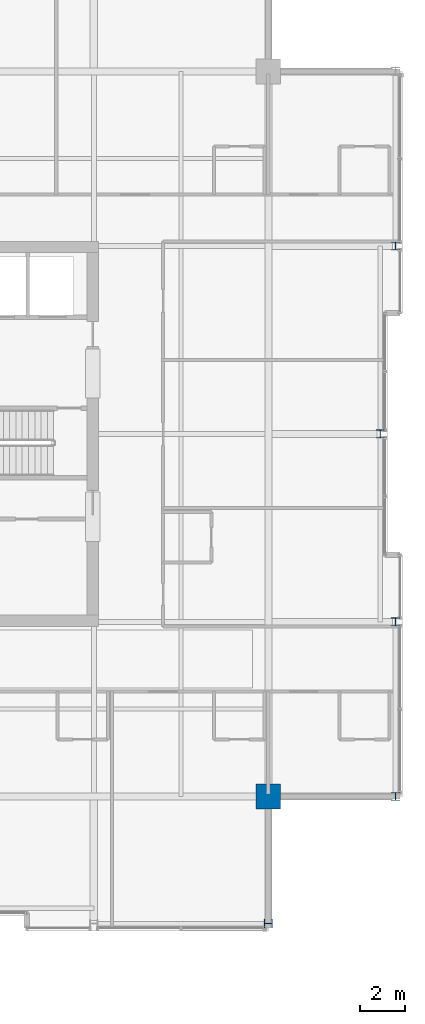
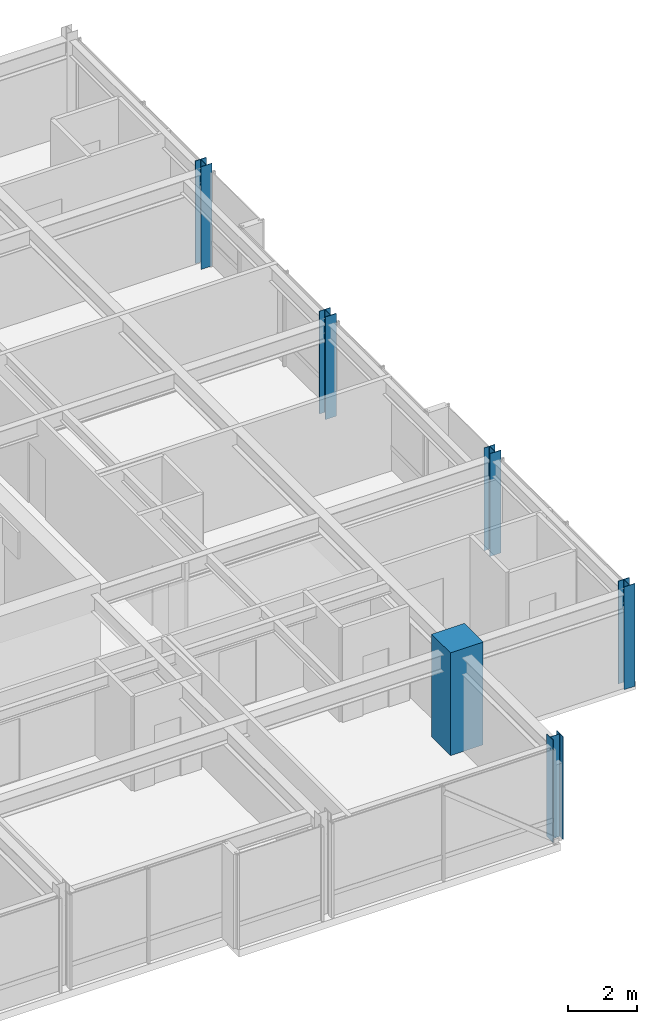
# One storey, part 2 of 34: 6 columns.
"""IFC4 building model written with IfcOpenShell, lengths in metres."""

from ifc_helpers import new_model, si_unit, direction, frame, origin, origin_2d, place, context, subcontext, project, spatial, rectangle, i_section, extrude, material, material_profile, profile_set, type_object, element, save


model = new_model("IFC4")

# Units and contexts
model_context = context("Model", 3, precision=1e-05, world=origin(), true_north=direction((0.0, 1.0)))
body_context = subcontext(model_context, "Body", "Model", "MODEL_VIEW")
ifc_project = project(units=[si_unit("LENGTHUNIT", "METRE"), si_unit("AREAUNIT", "SQUARE_METRE"), si_unit("VOLUMEUNIT", "CUBIC_METRE"), si_unit("PLANEANGLEUNIT", "RADIAN"), si_unit("MASSUNIT", "GRAM", prefix="KILO")], contexts=[model_context])

# Site, building, storey
site_placement = place(None, origin())
site = spatial("IfcSite", under=ifc_project, at=site_placement, CompositionType="ELEMENT")
building_placement = place(site_placement, origin())
building = spatial("IfcBuilding", under=site, at=building_placement, Name="Drelvath Grand Hotel", CompositionType="ELEMENT")
storey_placement = place(building_placement, frame((0.0, 0.0, 290.550048828125)))
storey = spatial("IfcBuildingStorey", under=building, at=storey_placement, Name="L76", CompositionType="ELEMENT", Elevation=290.550048828125)

# Columns
ifc_material_1 = material(Name="Concrete f'c 55 MPa", Category="concrete")
ifc_material_profile_1 = material_profile(ifc_material_1, rectangle(XDim=1.10009765625, YDim=1.10009765625, at=origin_2d()), Name="MC1100X1100")
ifc_profile_set_1 = profile_set([ifc_material_profile_1], Name="Concrete f'c 55 MPa")
column_type_1 = type_object("IfcColumnType", Name="Composite Mega Column MC1100X1100", PredefinedType="COLUMN", material=ifc_profile_set_1)
column_placement = place(storey_placement, frame((16.199951171875, 10.800048828125, 0.0), z_axis=(0.0, 0.0, 1.0), x_axis=(1.0, 0.0, 0.0)))
element("IfcColumn", 1, at=column_placement, inside=storey, type_object=column_type_1, Name="L76 Composite Mega Column MC-SE", PredefinedType="COLUMN", context=body_context, shape_type="SweptSolid", body=[
    extrude(rectangle(XDim=1.10009765625, YDim=1.10009765625, at=origin_2d()), origin(), (0.0, 0.0, 1.0), 3.64990234375),
])
ifc_material_2 = material(Name="Steel ASTM A913 Gr 65", Category="steel")
ifc_material_profile_2 = material_profile(ifc_material_2, i_section(OverallWidth=0.368896484375, OverallDepth=0.356201171875, WebThickness=0.01123046875, FlangeThickness=0.01806640625, FilletRadius=0.02490234375, at=origin_2d()), Name="W14X90")
ifc_profile_set_2 = profile_set([ifc_material_profile_2], Name="Steel ASTM A913 Gr 65")
column_type_2 = type_object("IfcColumnType", Name="Perimeter Steel Column W14X90", PredefinedType="COLUMN", material=ifc_profile_set_2)
for number, where, z_axis, x_axis, name in (
    (2, (21.8798828125, 10.800048828125, 0.0), (0.0, 0.0, 1.0), (1.0, 0.0, 0.0), "L76 Structural Column TCE-C"),
    (3, (21.8798828125, 18.60009765625, 0.0), (0.0, 0.0, 1.0), (1.0, 0.0, 0.0), "L76 Structural Column TCE-D"),
    (4, (21.199951171875, 27.0, 0.0), (0.0, 0.0, 1.0), (1.0, 0.0, 0.0), "L76 Structural Column TCE-E"),
    (5, (21.8798828125, 35.39990234375, 0.0), (0.0, 0.0, 1.0), (1.0, 0.0, 0.0), "L76 Structural Column TCE-F"),
    (6, (16.199951171875, 5.1201171875, 0.0), (0.0, 0.0, 1.0), (0.0, 1.0, 0.0), "L76 Structural Column TCS-7"),
):
    element("IfcColumn", number, at=place(storey_placement, frame(where, z_axis=z_axis, x_axis=x_axis)), inside=storey, type_object=column_type_2, Name=name, PredefinedType="COLUMN", context=body_context, shape_type="SweptSolid", body=[
        extrude(i_section(OverallWidth=0.368896484375, OverallDepth=0.356201171875, WebThickness=0.01123046875, FlangeThickness=0.01806640625, FilletRadius=0.02490234375, at=origin_2d()), origin(), (0.0, 0.0, 1.0), 3.64697265625),
    ])

save(model, "model.ifc")
